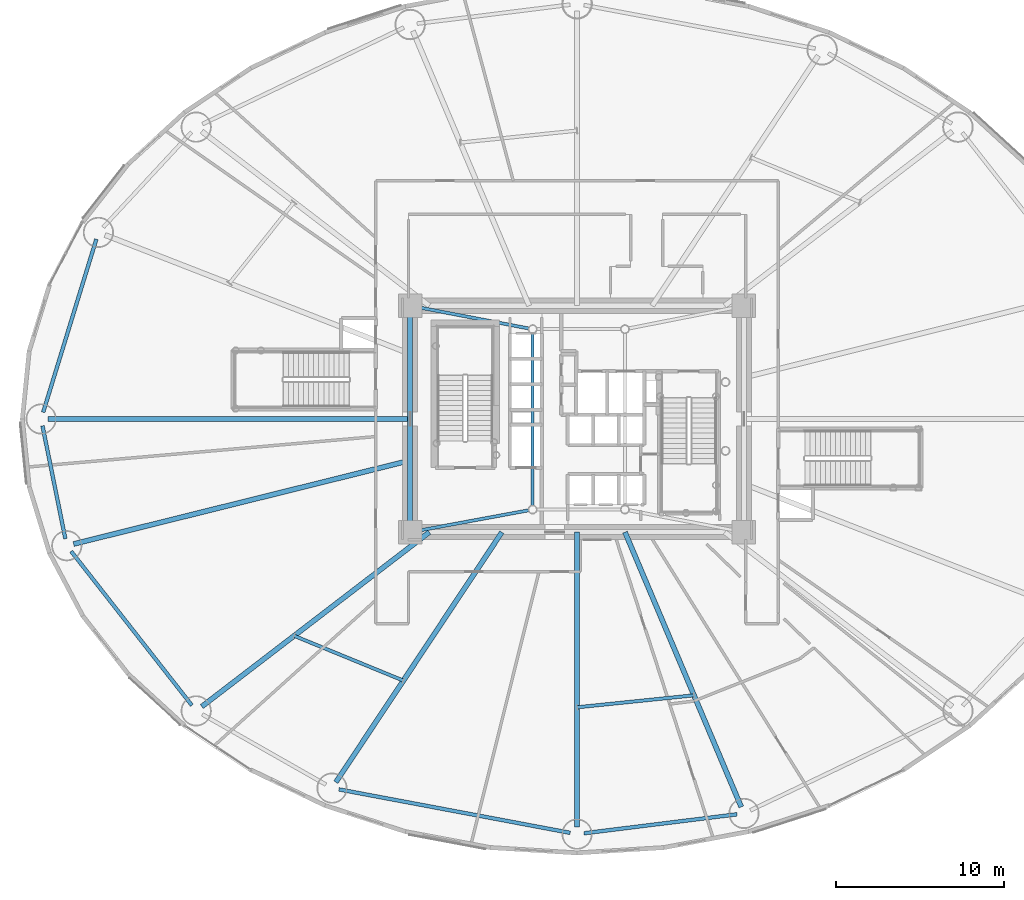
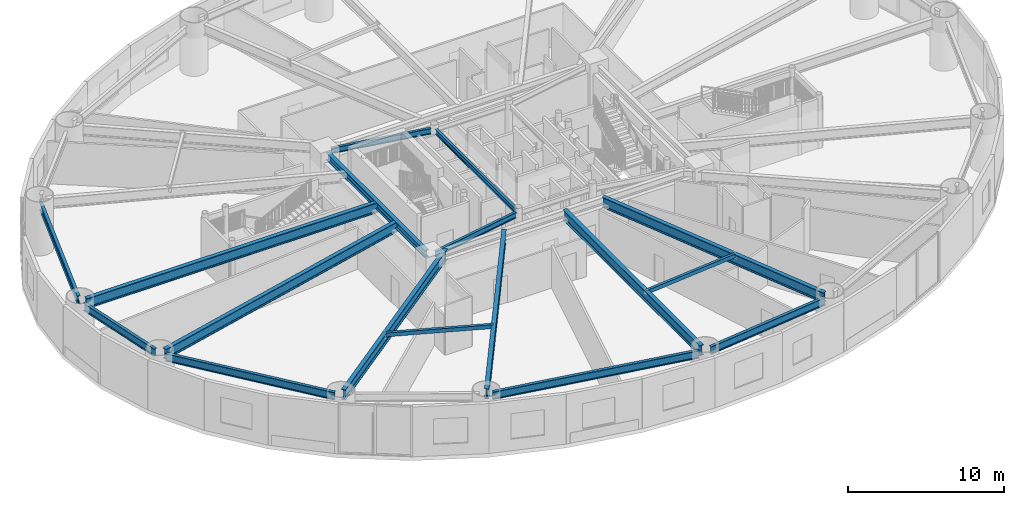
# One storey, part 5 of 30: 17 beams.
"""IFC4 building model written with IfcOpenShell, lengths in metres."""

import ifcopenshell
import ifcopenshell.guid

model = None  # the IFC model being written
_history = None  # IfcOwnerHistory: only IFC2X3 demands one
_inside = {}  # id of a spatial element -> (the spatial element, [elements in it])
_under = {}  # id of a project, library or spatial element -> (it, [spatial elements below it])
_declared = {}  # id of a project -> (the project, [libraries it declares])
_typed = {}  # id of a type object -> (the type object, [elements of that type])
_made_of = {}  # id of a material, layer set ... -> (it, [elements and type objects made of it])


def new_model(schema):
    """Start an empty IFC model of exactly this schema.

    Asked for "IFC4X3", IfcOpenShell would pick the latest addendum, in which some entities
    have other attributes; the version numbers below select the first issue.
    IFC2X3 requires an IfcOwnerHistory on every rooted entity: one is made here for all.
    """
    global model, _history
    if schema == "IFC4X3":
        model = ifcopenshell.file(schema_version=(4, 3, 0, 0))
    else:
        model = ifcopenshell.file(schema=schema)
    _inside.clear()
    _under.clear()
    _declared.clear()
    _typed.clear()
    _made_of.clear()
    _history = None
    if model.schema == "IFC2X3":
        org = make("IfcOrganization", Name="unknown")
        user = make(
            "IfcPersonAndOrganization",
            ThePerson=make("IfcPerson", FamilyName="unknown"),
            TheOrganization=org,
        )
        app = make(
            "IfcApplication",
            ApplicationDeveloper=org,
            Version="unknown",
            ApplicationFullName="unknown",
            ApplicationIdentifier="unknown",
        )
        _history = make(
            "IfcOwnerHistory",
            OwningUser=user,
            OwningApplication=app,
            ChangeAction="ADDED",
            CreationDate=0,
        )
    return model


def make(cls, **values):
    """One entity of the class cls with the attributes given. An attribute that is None is left unset."""
    return model.create_entity(
        cls, **{name: value for name, value in values.items() if value is not None}
    )


def rooted(cls, **values):
    """An entity with a GlobalId (a new one), such as an element, a storey or a relation."""
    return make(cls, GlobalId=ifcopenshell.guid.new(), OwnerHistory=_history, **values)


def si_unit(unit_type, name, prefix=None):
    """IfcSIUnit, for example si_unit("LENGTHUNIT", "METRE", prefix="MILLI")."""
    return make("IfcSIUnit", UnitType=unit_type, Prefix=prefix, Name=name)


def assignment(units):
    """IfcUnitAssignment: the units of a project."""
    return None if units is None else make("IfcUnitAssignment", Units=units)


def point(xyz):
    """IfcCartesianPoint."""
    return None if xyz is None else make("IfcCartesianPoint", Coordinates=xyz)


def direction(xyz):
    """IfcDirection."""
    return None if xyz is None else make("IfcDirection", DirectionRatios=xyz)


def frame(location, z_axis=None, x_axis=None):
    """IfcAxis2Placement3D, a coordinate frame: its origin and axes. An axis left out is left unset."""
    return make(
        "IfcAxis2Placement3D",
        Location=point(location),
        Axis=direction(z_axis),
        RefDirection=direction(x_axis),
    )


def frame_2d(location, x_axis=None):
    """IfcAxis2Placement2D, a coordinate frame in the plane: its origin and x axis."""
    return make(
        "IfcAxis2Placement2D", Location=point(location), RefDirection=direction(x_axis)
    )


def origin():
    """The frame at (0, 0, 0) with its axes left unset."""
    return frame((0.0, 0.0, 0.0))


def origin_2d():
    """The frame at (0, 0) in the plane with its x axis left unset."""
    return frame_2d((0.0, 0.0))


def place(relative_to, where):
    """IfcLocalPlacement: puts the frame where relative to a parent placement (None: the world)."""
    return make(
        "IfcLocalPlacement", PlacementRelTo=relative_to, RelativePlacement=where
    )


def context(
    kind, dimensions, precision=None, world=None, true_north=None, identifier=None
):
    """IfcGeometricRepresentationContext, for example the 3D "Model" context."""
    return make(
        "IfcGeometricRepresentationContext",
        ContextIdentifier=identifier,
        ContextType=kind,
        CoordinateSpaceDimension=dimensions,
        Precision=precision,
        WorldCoordinateSystem=world,
        TrueNorth=true_north,
    )


def subcontext(parent, identifier, kind, view, scale=None):
    """IfcGeometricRepresentationSubContext, for example "Body" below "Model"."""
    return make(
        "IfcGeometricRepresentationSubContext",
        ContextIdentifier=identifier,
        ContextType=kind,
        ParentContext=parent,
        TargetScale=scale,
        TargetView=view,
    )


def project(units=None, contexts=None):
    """IfcProject with its units and contexts."""
    return rooted(
        "IfcProject",
        Name="project",
        RepresentationContexts=contexts,
        UnitsInContext=assignment(units),
    )


def spatial(cls, under=None, at=None, **own):
    """A site, building, storey or space (cls), placed at a placement, below another one or the project."""
    s = rooted(cls, ObjectPlacement=at, **own)
    if under is not None:
        _under.setdefault(under.id(), (under, []))[1].append(s)
    return s


def profile(cls, at=None, kind="AREA", **sizes):
    """A parametric profile (cls). Its sizes go by their IFC names, for example OverallWidth=200.0."""
    return make(cls, ProfileType=kind, Position=at, **sizes)


def hollow_rectangle(**sizes):
    """IfcRectangleHollowProfileDef."""
    return profile("IfcRectangleHollowProfileDef", **sizes)


def i_section(**sizes):
    """IfcIShapeProfileDef."""
    return profile("IfcIShapeProfileDef", **sizes)


def extrude(swept, where, along, depth):
    """IfcExtrudedAreaSolid: the profile swept, set in the frame where, extruded along a direction by depth."""
    return make(
        "IfcExtrudedAreaSolid",
        SweptArea=swept,
        Position=where,
        ExtrudedDirection=direction(along),
        Depth=depth,
    )


def shape(context_of_items, identifier, shape_type, items):
    """IfcShapeRepresentation: the items that make up one representation, for example the "Body"."""
    return make(
        "IfcShapeRepresentation",
        ContextOfItems=context_of_items,
        RepresentationIdentifier=identifier,
        RepresentationType=shape_type,
        Items=items,
    )


def material(Name=None, Category=None):
    """IfcMaterial."""
    return make("IfcMaterial", Name=Name, Category=Category)


def material_profile(
    of_material, cross_section, Name=None, Category=None, Priority=None
):
    """IfcMaterialProfile: a cross section and its material."""
    return make(
        "IfcMaterialProfile",
        Name=Name,
        Material=of_material,
        Profile=cross_section,
        Priority=Priority,
        Category=Category,
    )


def profile_set(profiles, Name=None, composite=None):
    """IfcMaterialProfileSet."""
    return make(
        "IfcMaterialProfileSet",
        Name=Name,
        MaterialProfiles=profiles,
        CompositeProfile=composite,
    )


def made_of(thing, what):
    """Note that an element or type object is made of a material, layer set ...; save() writes the relation."""
    if what is not None:
        _made_of.setdefault(what.id(), (what, []))[1].append(thing)
    return thing


def type_object(cls, material=None, **own):
    """A type object (cls), such as IfcWallType, which elements share."""
    return made_of(rooted(cls, **own), material)


def element(
    cls,
    number,
    at=None,
    inside=None,
    cuts=None,
    type_object=None,
    material=None,
    context=None,
    identifier="Body",
    shape_type=None,
    held_by="IfcProductDefinitionShape",
    body=None,
    shapes=None,
    **own,
):
    """One element of the class cls, such as IfcWall. Its Tag is "e" and its number.

    at: its placement. inside: the storey or other place that contains it. cuts: it is an
    opening in that element (IfcRelVoidsElement). A single representation is given by context,
    identifier, shape_type and body (its items); several are given by shapes. held_by: the class
    of the entity that holds the representations. save() writes the other relations.
    """
    e = rooted(cls, Tag="e%d" % number, ObjectPlacement=at, **own)
    if body is not None:
        shapes = [shape(context, identifier, shape_type, body)]
    if shapes is not None:
        e.Representation = make(held_by, Representations=shapes)
    if inside is not None:
        _inside.setdefault(inside.id(), (inside, []))[1].append(e)
    if cuts is not None:
        rooted(
            "IfcRelVoidsElement", RelatingBuildingElement=cuts, RelatedOpeningElement=e
        )
    if type_object is not None:
        _typed.setdefault(type_object.id(), (type_object, []))[1].append(e)
    return made_of(e, material)


def aggregate(whole, parts):
    """IfcRelAggregates: a whole, such as a stair, and the parts it consists of."""
    return rooted("IfcRelAggregates", RelatingObject=whole, RelatedObjects=parts)


def save(model, path):
    """Write the relations noted so far, then the file.

    IfcRelAggregates (storeys below a building ...), IfcRelContainedInSpatialStructure (elements
    in a storey), IfcRelDefinesByType, IfcRelAssociatesMaterial and IfcRelDeclares: one each for
    every whole, place, type object, material and project.
    """
    for whole, parts in _under.values():
        aggregate(whole, parts)
    for where, things in _inside.values():
        rooted(
            "IfcRelContainedInSpatialStructure",
            RelatedElements=things,
            RelatingStructure=where,
        )
    for kind, things in _typed.values():
        rooted("IfcRelDefinesByType", RelatedObjects=things, RelatingType=kind)
    for what, things in _made_of.values():
        rooted("IfcRelAssociatesMaterial", RelatedObjects=things, RelatingMaterial=what)
    for by, libraries in _declared.values():
        rooted("IfcRelDeclares", RelatingContext=by, RelatedDefinitions=libraries)
    model.write(path)


model = new_model("IFC4")

# Units and contexts
model_context = context("Model", 3, precision=1e-05, world=origin(), true_north=direction((0.0, 1.0)))
body_context = subcontext(model_context, "Body", "Model", "MODEL_VIEW")
ifc_project = project(units=[si_unit("LENGTHUNIT", "METRE"), si_unit("AREAUNIT", "SQUARE_METRE"), si_unit("VOLUMEUNIT", "CUBIC_METRE"), si_unit("PLANEANGLEUNIT", "RADIAN"), si_unit("MASSUNIT", "GRAM", prefix="KILO")], contexts=[model_context])

# Site, building, storey
site_placement = place(None, origin())
site = spatial("IfcSite", under=ifc_project, at=site_placement, CompositionType="ELEMENT")
building_placement = place(site_placement, origin())
building = spatial("IfcBuilding", under=site, at=building_placement, Name="Linh Dai School and Residence Tower", CompositionType="ELEMENT")
storey_placement = place(building_placement, frame((0.0, 0.0, 10.199951171875)))
storey = spatial("IfcBuildingStorey", under=building, at=storey_placement, Name="L02", CompositionType="ELEMENT", Elevation=10.199951171875)

# Beams
ifc_material = material(Name="Structural Steel S355JR", Category="steel")
ifc_material_profile_1 = material_profile(ifc_material, hollow_rectangle(XDim=0.199951171875, YDim=0.300048828125, WallThickness=0.010009765625, at=origin_2d()), Name="RHS 300x200x10")
ifc_profile_set_1 = profile_set([ifc_material_profile_1], Name="Structural Steel S355JR")
beam_type_1 = type_object("IfcBeamType", Name="BM-BX3", PredefinedType="BEAM", material=ifc_profile_set_1)
beam_1_placement = place(storey_placement, frame((19.13623046875, 14.07080078125, 3.75), z_axis=(0.925227399646, -0.3794130453, 0.0), x_axis=(0.3794130453, 0.925227399646, 0.0)))
element("IfcBeam", 1, at=beam_1_placement, inside=storey, type_object=beam_type_1, Name="L02 Secondary Circumferential Floor Beam 06", PredefinedType="BEAM", context=body_context, shape_type="SweptSolid", body=[
    extrude(hollow_rectangle(XDim=0.199951171875, YDim=0.300048828125, WallThickness=0.010009765625, at=origin_2d()), origin(), (0.0, 0.0, 1.0), 7.029296875),
])
beam_2_placement = place(storey_placement, frame((36.0048828125, 9.810546875, 3.75), z_axis=(0.994772627995, 0.102114732487, 0.0), x_axis=(-0.102114732487, 0.994772627995, 0.0)))
element("IfcBeam", 2, at=beam_2_placement, inside=storey, type_object=beam_type_1, Name="L02 Secondary Circumferential Floor Beam 07", PredefinedType="BEAM", context=body_context, shape_type="SweptSolid", body=[
    extrude(hollow_rectangle(XDim=0.199951171875, YDim=0.300048828125, WallThickness=0.010009765625, at=origin_2d()), origin(), (0.0, 0.0, 1.0), 6.998046875),
])
ifc_material_profile_2 = material_profile(ifc_material, i_section(OverallWidth=0.219970703125, OverallDepth=0.60009765625, WebThickness=0.011962890625, FlangeThickness=0.01904296875, FilletRadius=0.02392578125, at=origin_2d()), Name="IPE 600")
ifc_profile_set_2 = profile_set([ifc_material_profile_2], Name="Structural Steel S355JR")
beam_type_2 = type_object("IfcBeamType", Name="BM-RB60", PredefinedType="BEAM", material=ifc_profile_set_2)
beam_3_placement = place(storey_placement, frame((7.343017578125, 37.720458984375, 3.60009765625), z_axis=(-0.293626522026, -0.955920219246, 0.0), x_axis=(0.955920219246, -0.293626522026, 0.0)))
element("IfcBeam", 3, at=beam_3_placement, inside=storey, type_object=beam_type_2, Name="L02 Perimeter Elliptical Ring Beam 08", PredefinedType="BEAM", context=body_context, shape_type="SweptSolid", body=[
    extrude(i_section(OverallWidth=0.219970703125, OverallDepth=0.60009765625, WebThickness=0.011962890625, FlangeThickness=0.01904296875, FilletRadius=0.02392578125, at=origin_2d()), origin(), (0.0, 0.0, 1.0), 10.794921875),
])
beam_4_placement = place(storey_placement, frame((4.13330078125, 26.58837890625, 3.60009765625), z_axis=(0.198405440792, -0.980120034008, 0.0), x_axis=(0.980120034008, 0.198405440792, 0.0)))
element("IfcBeam", 4, at=beam_4_placement, inside=storey, type_object=beam_type_2, Name="L02 Perimeter Elliptical Ring Beam 09", PredefinedType="BEAM", context=body_context, shape_type="SweptSolid", body=[
    extrude(i_section(OverallWidth=0.219970703125, OverallDepth=0.60009765625, WebThickness=0.011962890625, FlangeThickness=0.01904296875, FilletRadius=0.02392578125, at=origin_2d()), origin(), (0.0, 0.0, 1.0), 6.86865234375),
])
beam_5_placement = place(storey_placement, frame((5.838623046875, 19.114013671875, 3.60009765625), z_axis=(0.616811949607, -0.787110550572, 0.0), x_axis=(0.787110550572, 0.616811949607, 0.0)))
element("IfcBeam", 5, at=beam_5_placement, inside=storey, type_object=beam_type_2, Name="L02 Perimeter Elliptical Ring Beam 10", PredefinedType="BEAM", context=body_context, shape_type="SweptSolid", body=[
    extrude(i_section(OverallWidth=0.219970703125, OverallDepth=0.60009765625, WebThickness=0.011962890625, FlangeThickness=0.01904296875, FilletRadius=0.02392578125, at=origin_2d()), origin(), (0.0, 0.0, 1.0), 11.668212890625),
])
beam_6_placement = place(storey_placement, frame((21.803466796875, 4.917236328125, 3.60009765625), z_axis=(0.98280551354, -0.184643772045, 0.0), x_axis=(0.184643772045, 0.98280551354, 0.0)))
element("IfcBeam", 6, at=beam_6_placement, inside=storey, type_object=beam_type_2, Name="L02 Perimeter Elliptical Ring Beam 12", PredefinedType="BEAM", context=body_context, shape_type="SweptSolid", body=[
    extrude(i_section(OverallWidth=0.219970703125, OverallDepth=0.60009765625, WebThickness=0.011962890625, FlangeThickness=0.01904296875, FilletRadius=0.02392578125, at=origin_2d()), origin(), (0.0, 0.0, 1.0), 14.02490234375),
])
beam_7_placement = place(storey_placement, frame((36.416748046875, 2.3017578125, 3.60009765625), z_axis=(0.992402470446, 0.123033884169, 0.0), x_axis=(-0.123033884169, 0.992402470446, 0.0)))
element("IfcBeam", 7, at=beam_7_placement, inside=storey, type_object=beam_type_2, Name="L02 Perimeter Elliptical Ring Beam 13", PredefinedType="BEAM", context=body_context, shape_type="SweptSolid", body=[
    extrude(i_section(OverallWidth=0.219970703125, OverallDepth=0.60009765625, WebThickness=0.011962890625, FlangeThickness=0.01904296875, FilletRadius=0.02392578125, at=origin_2d()), origin(), (0.0, 0.0, 1.0), 9.1875),
])
ifc_material_profile_3 = material_profile(ifc_material, i_section(OverallWidth=0.300048828125, OverallDepth=0.550048828125, WebThickness=0.014892578125, FlangeThickness=0.029052734375, FilletRadius=0.027099609375, at=origin_2d()), Name="HEB 550")
ifc_profile_set_3 = profile_set([ifc_material_profile_3], Name="Structural Steel S355JR")
beam_type_3 = type_object("IfcBeamType", Name="BM-RG55", PredefinedType="BEAM", material=ifc_profile_set_3)
beam_8_placement = place(storey_placement, frame((26.050048828125, 33.330078125, 3.625), z_axis=(0.0, -1.0, 0.0), x_axis=(1.0, 0.0, 0.0)))
element("IfcBeam", 8, at=beam_8_placement, inside=storey, type_object=beam_type_3, Name="L02 Core Perimeter Coupling Girder 4", PredefinedType="BEAM", context=body_context, shape_type="SweptSolid", body=[
    extrude(i_section(OverallWidth=0.300048828125, OverallDepth=0.550048828125, WebThickness=0.014892578125, FlangeThickness=0.029052734375, FilletRadius=0.027099609375, at=origin_2d()), origin(), (0.0, 0.0, 1.0), 12.66015625),
])
ifc_material_profile_4 = material_profile(ifc_material, i_section(OverallWidth=0.300048828125, OverallDepth=0.800048828125, WebThickness=0.017578125, FlangeThickness=0.032958984375, FilletRadius=0.030029296875, at=origin_2d()), Name="HEB 800")
ifc_profile_set_4 = profile_set([ifc_material_profile_4], Name="Structural Steel S355JR")
beam_type_4 = type_object("IfcBeamType", Name="BM-RG8", PredefinedType="BEAM", material=ifc_profile_set_4)
beam_9_placement = place(storey_placement, frame((26.050048828125, 27.0, 3.5), z_axis=(-1.0, 0.0, 0.0), x_axis=(0.0, -1.0, 0.0)))
element("IfcBeam", 9, at=beam_9_placement, inside=storey, type_object=beam_type_4, Name="L02 Primary Radial Floor Girder 09", PredefinedType="BEAM", context=body_context, shape_type="SweptSolid", body=[
    extrude(i_section(OverallWidth=0.300048828125, OverallDepth=0.800048828125, WebThickness=0.017578125, FlangeThickness=0.032958984375, FilletRadius=0.030029296875, at=origin_2d()), origin(), (0.0, 0.0, 1.0), 21.580078125),
])
beam_10_placement = place(storey_placement, frame((26.050048828125, 24.52880859375, 3.5), z_axis=(-0.970515097282, -0.241040340913, 0.0), x_axis=(0.241040340913, -0.970515097282, 0.0)))
element("IfcBeam", 10, at=beam_10_placement, inside=storey, type_object=beam_type_4, Name="L02 Primary Radial Floor Girder 10", PredefinedType="BEAM", context=body_context, shape_type="SweptSolid", body=[
    extrude(i_section(OverallWidth=0.300048828125, OverallDepth=0.800048828125, WebThickness=0.017578125, FlangeThickness=0.032958984375, FilletRadius=0.030029296875, at=origin_2d()), origin(), (0.0, 0.0, 1.0), 20.672607421875),
])
beam_11_placement = place(storey_placement, frame((27.192138671875, 20.25, 3.5), z_axis=(-0.793713040757, -0.608292371259, 0.0), x_axis=(0.608292371259, -0.793713040757, 0.0)))
element("IfcBeam", 11, at=beam_11_placement, inside=storey, type_object=beam_type_4, Name="L02 Primary Radial Floor Girder 11", PredefinedType="BEAM", context=body_context, shape_type="SweptSolid", body=[
    extrude(i_section(OverallWidth=0.300048828125, OverallDepth=0.800048828125, WebThickness=0.017578125, FlangeThickness=0.032958984375, FilletRadius=0.030029296875, at=origin_2d()), origin(), (0.0, 0.0, 1.0), 17.08935546875),
])
beam_12_placement = place(storey_placement, frame((31.518798828125, 20.25, 3.5), z_axis=(-0.553108911901, -0.833108955404, 0.0), x_axis=(0.833108955404, -0.553108911901, 0.0)))
element("IfcBeam", 12, at=beam_12_placement, inside=storey, type_object=beam_type_4, Name="L02 Primary Radial Floor Girder 12", PredefinedType="BEAM", context=body_context, shape_type="SweptSolid", body=[
    extrude(i_section(OverallWidth=0.300048828125, OverallDepth=0.800048828125, WebThickness=0.017578125, FlangeThickness=0.032958984375, FilletRadius=0.030029296875, at=origin_2d()), origin(), (0.0, 0.0, 1.0), 17.89111328125),
])
beam_13_placement = place(storey_placement, frame((36.0, 20.25, 3.5), z_axis=(0.0, -1.0, 0.0), x_axis=(1.0, 0.0, 0.0)))
element("IfcBeam", 13, at=beam_13_placement, inside=storey, type_object=beam_type_4, Name="L02 Primary Radial Floor Girder 13", PredefinedType="BEAM", context=body_context, shape_type="SweptSolid", body=[
    extrude(i_section(OverallWidth=0.300048828125, OverallDepth=0.800048828125, WebThickness=0.017578125, FlangeThickness=0.032958984375, FilletRadius=0.030029296875, at=origin_2d()), origin(), (0.0, 0.0, 1.0), 17.580078125),
])
beam_14_placement = place(storey_placement, frame((38.8564453125, 20.25, 3.5), z_axis=(0.389695518128, -0.920943756779, 0.0), x_axis=(0.920943756779, 0.389695518128, 0.0)))
element("IfcBeam", 14, at=beam_14_placement, inside=storey, type_object=beam_type_4, Name="L02 Primary Radial Floor Girder 14", PredefinedType="BEAM", context=body_context, shape_type="SweptSolid", body=[
    extrude(i_section(OverallWidth=0.300048828125, OverallDepth=0.800048828125, WebThickness=0.017578125, FlangeThickness=0.032958984375, FilletRadius=0.030029296875, at=origin_2d()), origin(), (0.0, 0.0, 1.0), 17.785400390625),
])
ifc_material_profile_5 = material_profile(ifc_material, i_section(OverallWidth=0.179931640625, OverallDepth=0.39990234375, WebThickness=0.008544921875, FlangeThickness=0.013427734375, FilletRadius=0.02099609375, at=origin_2d()), Name="IPE 400")
ifc_profile_set_5 = profile_set([ifc_material_profile_5], Name="Structural Steel S355JR")
beam_type_5 = type_object("IfcBeamType", Name="BM-SB40", PredefinedType="BEAM", material=ifc_profile_set_5)
beam_15_placement = place(storey_placement, frame((33.35009765625, 32.1259765625, 3.699951171875), z_axis=(0.0, -1.0, 0.0), x_axis=(1.0, 0.0, 0.0)))
element("IfcBeam", 15, at=beam_15_placement, inside=storey, type_object=beam_type_5, Name="L02 Core Mast Pier Tie Beam 4", PredefinedType="BEAM", context=body_context, shape_type="SweptSolid", body=[
    extrude(i_section(OverallWidth=0.179931640625, OverallDepth=0.39990234375, WebThickness=0.008544921875, FlangeThickness=0.013427734375, FilletRadius=0.02099609375, at=origin_2d()), origin(), (0.0, 0.0, 1.0), 10.302001953125),
])
ifc_material_profile_6 = material_profile(ifc_material, i_section(OverallWidth=0.18994140625, OverallDepth=0.449951171875, WebThickness=0.009521484375, FlangeThickness=0.0146484375, FilletRadius=0.02099609375, at=origin_2d()), Name="IPE 450")
ifc_profile_set_6 = profile_set([ifc_material_profile_6], Name="Structural Steel S355JR")
beam_type_6 = type_object("IfcBeamType", Name="BM-SB45", PredefinedType="BEAM", material=ifc_profile_set_6)
beam_16_placement = place(storey_placement, frame((26.462890625, 20.326416015625, 3.675048828125), z_axis=(0.983326152819, 0.18185070025, 0.0), x_axis=(-0.18185070025, 0.983326152819, 0.0)))
element("IfcBeam", 16, at=beam_16_placement, inside=storey, type_object=beam_type_6, Name="L02 Core Corner-to-Mast Pier Beam 1", PredefinedType="BEAM", context=body_context, shape_type="SweptSolid", body=[
    extrude(i_section(OverallWidth=0.18994140625, OverallDepth=0.449951171875, WebThickness=0.009521484375, FlangeThickness=0.0146484375, FilletRadius=0.02099609375, at=origin_2d()), origin(), (0.0, 0.0, 1.0), 6.77978515625),
])
beam_17_placement = place(storey_placement, frame((26.46240234375, 33.6708984375, 3.675048828125), z_axis=(0.982100456787, -0.188357884832, 0.0), x_axis=(0.188357884832, 0.982100456787, 0.0)))
element("IfcBeam", 17, at=beam_17_placement, inside=storey, type_object=beam_type_6, Name="L02 Core Corner-to-Mast Pier Beam 4", PredefinedType="BEAM", context=body_context, shape_type="SweptSolid", body=[
    extrude(i_section(OverallWidth=0.18994140625, OverallDepth=0.449951171875, WebThickness=0.009521484375, FlangeThickness=0.0146484375, FilletRadius=0.02099609375, at=origin_2d()), origin(), (0.0, 0.0, 1.0), 6.789306640625),
])

save(model, "model.ifc")
